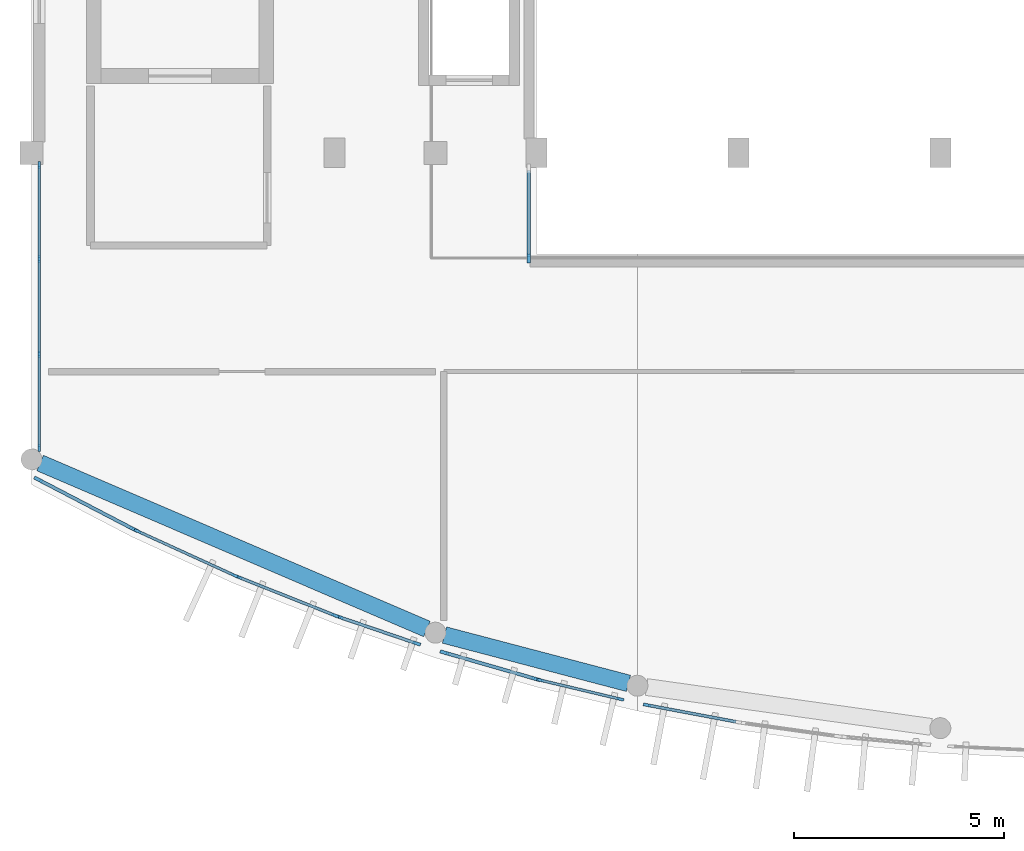
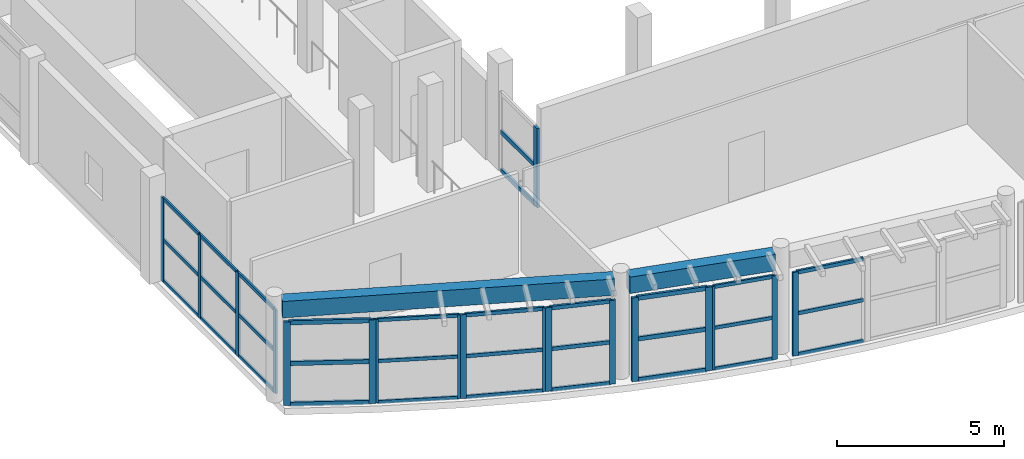
# One storey, part 3 of 32: 50 members, 2 beams, 9 elements without a shape of their own.
"""IFC4 building model written with IfcOpenShell, lengths in metres."""

from ifc_helpers import new_model, si_unit, direction, frame, origin, origin_2d, place, context, subcontext, project, spatial, rectangle, extrude, material, layer, layer_set, material_profile, profile_set, type_object, element, aggregate, save


model = new_model("IFC4")

# Units and contexts
model_context = context("Model", 3, precision=1e-05, world=origin(), true_north=direction((0.0, 1.0)))
body_context = subcontext(model_context, "Body", "Model", "MODEL_VIEW")
ifc_project = project(units=[si_unit("LENGTHUNIT", "METRE"), si_unit("AREAUNIT", "SQUARE_METRE"), si_unit("VOLUMEUNIT", "CUBIC_METRE"), si_unit("PLANEANGLEUNIT", "RADIAN"), si_unit("MASSUNIT", "GRAM", prefix="KILO")], contexts=[model_context])

# Site, building, storey
site_placement = place(None, origin())
site = spatial("IfcSite", under=ifc_project, at=site_placement, CompositionType="ELEMENT")
building_placement = place(site_placement, origin())
building = spatial("IfcBuilding", under=site, at=building_placement, Name="Brisavento Harbour Community Centre", CompositionType="ELEMENT")
storey_placement = place(building_placement, frame((0.0, 0.0, 12.89990234375)))
storey = spatial("IfcBuildingStorey", under=building, at=storey_placement, Name="L03", CompositionType="ELEMENT", Elevation=12.89990234375)

# Beams
ifc_material_1 = material(Name="Concrete C35/45", Category="concrete")
ifc_material_profile_1 = material_profile(ifc_material_1, rectangle(XDim=0.39990234375, YDim=0.60009765625, at=origin_2d()), Name="Concrete C35/45")
ifc_profile_set_1 = profile_set([ifc_material_profile_1], Name="Concrete C35/45")
beam_type = type_object("IfcBeamType", Name="BM-SPN-400x600", PredefinedType="SPANDREL", material=ifc_profile_set_1)
beam_1_placement = place(storey_placement, frame((0.2021484375, 7.027587890625, 3.360107421875), z_axis=(0.918969522078, -0.394328565401, 0.0), x_axis=(0.394328565401, 0.918969522078, 0.0)))
element("IfcBeam", 1, at=beam_1_placement, inside=storey, type_object=beam_type, Name="L03 curved perimeter spandrel 0675", PredefinedType="SPANDREL", context=body_context, shape_type="SweptSolid", body=[
    extrude(rectangle(XDim=0.39990234375, YDim=0.60009765625, at=origin_2d()), origin(), (0.0, 0.0, 1.0), 10.00634765625),
])
beam_2_placement = place(storey_placement, frame((9.812744140625, 2.939208984375, 3.360107421875), z_axis=(0.967170956244, -0.254126624735, 0.0), x_axis=(0.254126624735, 0.967170956244, 0.0)))
element("IfcBeam", 2, at=beam_2_placement, inside=storey, type_object=beam_type, Name="L03 curved perimeter spandrel 0676", PredefinedType="SPANDREL", context=body_context, shape_type="SweptSolid", body=[
    extrude(rectangle(XDim=0.39990234375, YDim=0.60009765625, at=origin_2d()), origin(), (0.0, 0.0, 1.0), 4.52294921875),
])

# Curtain wall, members
ifc_material_2 = material(Name="Marine-anodised aluminium AW-6063-T6", Category="aluminium")
ifc_layer_1 = layer(ifc_material_2, 0.179931640625, Name="Marine-anodised aluminium AW-6063-T6")
ifc_layer_set_1 = layer_set([ifc_layer_1], Name="Marine-anodised aluminium AW-6063-T6")
curtain_wall_type_1 = type_object("IfcCurtainWallType", Name="CW-SYS-13", PredefinedType="USERDEFINED", material=ifc_layer_set_1)
curtain_wall_1_placement = place(storey_placement, origin())
curtain_wall_1 = element("IfcCurtainWall", 3, at=curtain_wall_1_placement, inside=storey, type_object=curtain_wall_type_1, Name="L03 V1 unitised curtain wall 153", ObjectType="UNITISED CURTAIN WALL", PredefinedType="USERDEFINED")
ifc_material_profile_2 = material_profile(ifc_material_2, rectangle(XDim=0.06494140625, YDim=0.1650390625, at=origin_2d()), Name="Marine-anodised aluminium AW-6063-T6")
ifc_profile_set_2 = profile_set([ifc_material_profile_2], Name="Marine-anodised aluminium AW-6063-T6")
member_type_1 = type_object("IfcMemberType", Name="CWM-01", PredefinedType="MULLION", material=ifc_profile_set_2)
member_1_placement = place(storey_placement, frame((4.828857421875, 4.353515625, 0.0), z_axis=(0.0, 0.0, 1.0), x_axis=(-0.415490040189, -0.909597727846, 0.0)))
member_1 = element("IfcMember", 4, at=member_1_placement, type_object=member_type_1, Name="CW-13 mullion 1", PredefinedType="MULLION", context=body_context, shape_type="SweptSolid", body=[
    extrude(rectangle(XDim=0.06494140625, YDim=0.1650390625, at=origin_2d()), origin(), (0.0, 0.0, 1.0), 3.06005859375),
])
member_2_placement = place(storey_placement, frame((2.520751953125, 5.40771484375, 0.0), z_axis=(0.0, 0.0, 1.0), x_axis=(-0.415490040189, -0.909597727846, 0.0)))
member_2 = element("IfcMember", 5, at=member_2_placement, type_object=member_type_1, Name="CW-13 mullion 2", PredefinedType="MULLION", context=body_context, shape_type="SweptSolid", body=[
    extrude(rectangle(XDim=0.06494140625, YDim=0.1650390625, at=origin_2d()), origin(), (0.0, 0.0, 1.0), 3.06005859375),
])

ifc_layer_2 = layer(ifc_material_2, 0.179931640625, Name="Marine-anodised aluminium AW-6063-T6")
ifc_layer_set_2 = layer_set([ifc_layer_2], Name="Marine-anodised aluminium AW-6063-T6")
curtain_wall_type_2 = type_object("IfcCurtainWallType", Name="CW-SYS-17", PredefinedType="USERDEFINED", material=ifc_layer_set_2)
curtain_wall_2_placement = place(storey_placement, origin())
curtain_wall_2 = element("IfcCurtainWall", 6, at=curtain_wall_2_placement, inside=storey, type_object=curtain_wall_type_2, Name="L03 V1 unitised curtain wall 157", ObjectType="UNITISED CURTAIN WALL", PredefinedType="USERDEFINED")
member_3_placement = place(storey_placement, frame((13.9970703125, 1.41455078125, 0.0), z_axis=(0.0, 0.0, 1.0), x_axis=(-0.230812289714, -0.972998297489, 0.0)))
member_3 = element("IfcMember", 7, at=member_3_placement, type_object=member_type_1, Name="CW-17 mullion 1", PredefinedType="MULLION", context=body_context, shape_type="SweptSolid", body=[
    extrude(rectangle(XDim=0.06494140625, YDim=0.1650390625, at=origin_2d()), origin(), (0.0, 0.0, 1.0), 3.06005859375),
])
member_4_placement = place(storey_placement, frame((12.0908203125, 1.86669921875, 0.0), z_axis=(0.0, 0.0, 1.0), x_axis=(-0.230812289714, -0.972998297489, 0.0)))
member_4 = element("IfcMember", 8, at=member_4_placement, type_object=member_type_1, Name="CW-17 mullion 2", PredefinedType="MULLION", context=body_context, shape_type="SweptSolid", body=[
    extrude(rectangle(XDim=0.06494140625, YDim=0.1650390625, at=origin_2d()), origin(), (0.0, 0.0, 1.0), 3.06005859375),
])

ifc_layer_3 = layer(ifc_material_2, 0.179931640625, Name="Marine-anodised aluminium AW-6063-T6")
ifc_layer_set_3 = layer_set([ifc_layer_3], Name="Marine-anodised aluminium AW-6063-T6")
curtain_wall_type_3 = type_object("IfcCurtainWallType", Name="CW-SYS-09", PredefinedType="USERDEFINED", material=ifc_layer_set_3)
curtain_wall_3_placement = place(storey_placement, origin())
curtain_wall_3 = element("IfcCurtainWall", 9, at=curtain_wall_3_placement, inside=storey, type_object=curtain_wall_type_3, Name="L03 V1 unitised curtain wall 177", ObjectType="UNITISED CURTAIN WALL", PredefinedType="USERDEFINED")
member_5_placement = place(storey_placement, frame((0.179931640625, 7.381591796875, 0.0), z_axis=(0.0, 0.0, 1.0), x_axis=(-1.0, 0.0, 0.0)))
member_5 = element("IfcMember", 10, at=member_5_placement, type_object=member_type_1, Name="CW-09 mullion 1", PredefinedType="MULLION", context=body_context, shape_type="SweptSolid", body=[
    extrude(rectangle(XDim=0.06494140625, YDim=0.1650390625, at=origin_2d()), origin(), (0.0, 0.0, 1.0), 3.06005859375),
])
member_6_placement = place(storey_placement, frame((0.179931640625, 9.61279296875, 0.0), z_axis=(0.0, 0.0, 1.0), x_axis=(-1.0, 0.0, 0.0)))
member_6 = element("IfcMember", 11, at=member_6_placement, type_object=member_type_1, Name="CW-09 mullion 2", PredefinedType="MULLION", context=body_context, shape_type="SweptSolid", body=[
    extrude(rectangle(XDim=0.06494140625, YDim=0.1650390625, at=origin_2d()), origin(), (0.0, 0.0, 1.0), 3.06005859375),
])
member_7_placement = place(storey_placement, frame((0.179931640625, 11.87646484375, 0.0), z_axis=(0.0, 0.0, 1.0), x_axis=(-1.0, 0.0, 0.0)))
member_7 = element("IfcMember", 12, at=member_7_placement, type_object=member_type_1, Name="CW-09 mullion 3", PredefinedType="MULLION", context=body_context, shape_type="SweptSolid", body=[
    extrude(rectangle(XDim=0.06494140625, YDim=0.1650390625, at=origin_2d()), origin(), (0.0, 0.0, 1.0), 3.06005859375),
])
member_8_placement = place(storey_placement, frame((0.179931640625, 14.107421875, 0.0), z_axis=(0.0, 0.0, 1.0), x_axis=(-1.0, 0.0, 0.0)))
member_8 = element("IfcMember", 13, at=member_8_placement, type_object=member_type_1, Name="CW-09 mullion 4", PredefinedType="MULLION", context=body_context, shape_type="SweptSolid", body=[
    extrude(rectangle(XDim=0.06494140625, YDim=0.1650390625, at=origin_2d()), origin(), (0.0, 0.0, 1.0), 3.06005859375),
])

ifc_layer_4 = layer(ifc_material_2, 0.179931640625, Name="Marine-anodised aluminium AW-6063-T6")
ifc_layer_set_4 = layer_set([ifc_layer_4], Name="Marine-anodised aluminium AW-6063-T6")
curtain_wall_type_4 = type_object("IfcCurtainWallType", Name="CW-SYS-14", PredefinedType="USERDEFINED", material=ifc_layer_set_4)
curtain_wall_4_placement = place(storey_placement, origin())
curtain_wall_4 = element("IfcCurtainWall", 14, at=curtain_wall_4_placement, inside=storey, type_object=curtain_wall_type_4, Name="L03 V1 unitised curtain wall 154", ObjectType="UNITISED CURTAIN WALL", PredefinedType="USERDEFINED")
ifc_material_profile_3 = material_profile(ifc_material_2, rectangle(XDim=0.070068359375, YDim=0.179931640625, at=origin_2d()), Name="Marine-anodised aluminium AW-6063-T6")
ifc_profile_set_3 = profile_set([ifc_material_profile_3], Name="Marine-anodised aluminium AW-6063-T6")
member_type_2 = type_object("IfcMemberType", Name="CWM-02", PredefinedType="MULLION", material=ifc_profile_set_3)
member_9_placement = place(storey_placement, frame((7.21728515625, 3.401611328125, 0.0), z_axis=(0.0, 0.0, 1.0), x_axis=(-0.369379094613, -0.929278798027, 0.0)))
member_9 = element("IfcMember", 15, at=member_9_placement, type_object=member_type_2, Name="CW-14 mullion 1", PredefinedType="MULLION", context=body_context, shape_type="SweptSolid", body=[
    extrude(rectangle(XDim=0.070068359375, YDim=0.179931640625, at=origin_2d()), origin(), (0.0, 0.0, 1.0), 3.06005859375),
])
member_10_placement = place(storey_placement, frame((4.915771484375, 4.31640625, 0.0), z_axis=(0.0, 0.0, 1.0), x_axis=(-0.369379094613, -0.929278798027, 0.0)))
member_10 = element("IfcMember", 16, at=member_10_placement, type_object=member_type_2, Name="CW-14 mullion 2", PredefinedType="MULLION", context=body_context, shape_type="SweptSolid", body=[
    extrude(rectangle(XDim=0.070068359375, YDim=0.179931640625, at=origin_2d()), origin(), (0.0, 0.0, 1.0), 3.06005859375),
])

# Curtain wall, member
ifc_layer_5 = layer(ifc_material_2, 0.179931640625, Name="Marine-anodised aluminium AW-6063-T6")
ifc_layer_set_5 = layer_set([ifc_layer_5], Name="Marine-anodised aluminium AW-6063-T6")
curtain_wall_type_5 = type_object("IfcCurtainWallType", Name="CW-SYS-18", PredefinedType="USERDEFINED", material=ifc_layer_set_5)
curtain_wall_5_placement = place(storey_placement, origin())
curtain_wall_5 = element("IfcCurtainWall", 17, at=curtain_wall_5_placement, inside=storey, type_object=curtain_wall_type_5, Name="L03 V1 unitised curtain wall 158", ObjectType="UNITISED CURTAIN WALL", PredefinedType="USERDEFINED")
member_11_placement = place(storey_placement, frame((14.630859375, 1.273681640625, 0.0), z_axis=(0.0, 0.0, 1.0), x_axis=(-0.184689637418, -0.982796895513, 0.0)))
member_11 = element("IfcMember", 18, at=member_11_placement, type_object=member_type_2, Name="CW-18 mullion 2", PredefinedType="MULLION", context=body_context, shape_type="SweptSolid", body=[
    extrude(rectangle(XDim=0.070068359375, YDim=0.179931640625, at=origin_2d()), origin(), (0.0, 0.0, 1.0), 3.06005859375),
])

# Curtain wall, members
ifc_layer_6 = layer(ifc_material_2, 0.179931640625, Name="Marine-anodised aluminium AW-6063-T6")
ifc_layer_set_6 = layer_set([ifc_layer_6], Name="Marine-anodised aluminium AW-6063-T6")
curtain_wall_type_6 = type_object("IfcCurtainWallType", Name="CW-SYS-15", PredefinedType="USERDEFINED", material=ifc_layer_set_6)
curtain_wall_6_placement = place(storey_placement, origin())
curtain_wall_6 = element("IfcCurtainWall", 19, at=curtain_wall_6_placement, inside=storey, type_object=curtain_wall_type_6, Name="L03 V1 unitised curtain wall 155", ObjectType="UNITISED CURTAIN WALL", PredefinedType="USERDEFINED")
ifc_material_profile_4 = material_profile(ifc_material_2, rectangle(XDim=0.074951171875, YDim=0.18994140625, at=origin_2d()), Name="Marine-anodised aluminium AW-6063-T6")
ifc_profile_set_4 = profile_set([ifc_material_profile_4], Name="Marine-anodised aluminium AW-6063-T6")
member_type_3 = type_object("IfcMemberType", Name="CWM-03", PredefinedType="MULLION", material=ifc_profile_set_4)
member_12_placement = place(storey_placement, frame((9.153076171875, 2.738037109375, 0.0), z_axis=(0.0, 0.0, 1.0), x_axis=(-0.323178425743, -0.946338050136, 0.0)))
member_12 = element("IfcMember", 20, at=member_12_placement, type_object=member_type_3, Name="CW-15 mullion 1", PredefinedType="MULLION", context=body_context, shape_type="SweptSolid", body=[
    extrude(rectangle(XDim=0.074951171875, YDim=0.18994140625, at=origin_2d()), origin(), (0.0, 0.0, 1.0), 3.06005859375),
])
member_13_placement = place(storey_placement, frame((7.310791015625, 3.3671875, 0.0), z_axis=(0.0, 0.0, 1.0), x_axis=(-0.323178425743, -0.946338050136, 0.0)))
member_13 = element("IfcMember", 21, at=member_13_placement, type_object=member_type_3, Name="CW-15 mullion 2", PredefinedType="MULLION", context=body_context, shape_type="SweptSolid", body=[
    extrude(rectangle(XDim=0.074951171875, YDim=0.18994140625, at=origin_2d()), origin(), (0.0, 0.0, 1.0), 3.06005859375),
])

ifc_layer_7 = layer(ifc_material_2, 0.179931640625, Name="Marine-anodised aluminium AW-6063-T6")
ifc_layer_set_7 = layer_set([ifc_layer_7], Name="Marine-anodised aluminium AW-6063-T6")
curtain_wall_type_7 = type_object("IfcCurtainWallType", Name="CW-SYS-12", PredefinedType="USERDEFINED", material=ifc_layer_set_7)
curtain_wall_7_placement = place(storey_placement, origin())
curtain_wall_7 = element("IfcCurtainWall", 22, at=curtain_wall_7_placement, inside=storey, type_object=curtain_wall_type_7, Name="L03 V1 unitised curtain wall 152", ObjectType="UNITISED CURTAIN WALL", PredefinedType="USERDEFINED")
ifc_material_profile_5 = material_profile(ifc_material_2, rectangle(XDim=0.080078125, YDim=0.2099609375, at=origin_2d()), Name="Marine-anodised aluminium AW-6063-T6")
ifc_profile_set_5 = profile_set([ifc_material_profile_5], Name="Marine-anodised aluminium AW-6063-T6")
member_type_4 = type_object("IfcMemberType", Name="CWM-04", PredefinedType="MULLION", material=ifc_profile_set_5)
member_14_placement = place(storey_placement, frame((2.431640625, 5.451416015625, 0.0), z_axis=(0.0, 0.0, 1.0), x_axis=(-0.461731608705, -0.887019684969, 0.0)))
member_14 = element("IfcMember", 23, at=member_14_placement, type_object=member_type_4, Name="CW-12 mullion 1", PredefinedType="MULLION", context=body_context, shape_type="SweptSolid", body=[
    extrude(rectangle(XDim=0.080078125, YDim=0.2099609375, at=origin_2d()), origin(), (0.0, 0.0, 1.0), 3.06005859375),
])
member_15_placement = place(storey_placement, frame((0.15869140625, 6.634521484375, 0.0), z_axis=(0.0, 0.0, 1.0), x_axis=(-0.461731608705, -0.887019684969, 0.0)))
member_15 = element("IfcMember", 24, at=member_15_placement, type_object=member_type_4, Name="CW-12 mullion 2", PredefinedType="MULLION", context=body_context, shape_type="SweptSolid", body=[
    extrude(rectangle(XDim=0.080078125, YDim=0.2099609375, at=origin_2d()), origin(), (0.0, 0.0, 1.0), 3.06005859375),
])

ifc_layer_8 = layer(ifc_material_2, 0.179931640625, Name="Marine-anodised aluminium AW-6063-T6")
ifc_layer_set_8 = layer_set([ifc_layer_8], Name="Marine-anodised aluminium AW-6063-T6")
curtain_wall_type_8 = type_object("IfcCurtainWallType", Name="CW-SYS-16", PredefinedType="USERDEFINED", material=ifc_layer_set_8)
curtain_wall_8_placement = place(storey_placement, origin())
curtain_wall_8 = element("IfcCurtainWall", 25, at=curtain_wall_8_placement, inside=storey, type_object=curtain_wall_type_8, Name="L03 V1 unitised curtain wall 156", ObjectType="UNITISED CURTAIN WALL", PredefinedType="USERDEFINED")
member_16_placement = place(storey_placement, frame((11.994140625, 1.892333984375, 0.0), z_axis=(0.0, 0.0, 1.0), x_axis=(-0.277011917183, -0.960866482785, 0.0)))
member_16 = element("IfcMember", 26, at=member_16_placement, type_object=member_type_4, Name="CW-16 mullion 1", PredefinedType="MULLION", context=body_context, shape_type="SweptSolid", body=[
    extrude(rectangle(XDim=0.080078125, YDim=0.2099609375, at=origin_2d()), origin(), (0.0, 0.0, 1.0), 3.06005859375),
])
member_17_placement = place(storey_placement, frame((9.8115234375, 2.521484375, 0.0), z_axis=(0.0, 0.0, 1.0), x_axis=(-0.277011917183, -0.960866482785, 0.0)))
member_17 = element("IfcMember", 27, at=member_17_placement, type_object=member_type_4, Name="CW-16 mullion 2", PredefinedType="MULLION", context=body_context, shape_type="SweptSolid", body=[
    extrude(rectangle(XDim=0.080078125, YDim=0.2099609375, at=origin_2d()), origin(), (0.0, 0.0, 1.0), 3.06005859375),
])

# Curtain wall, member
ifc_layer_9 = layer(ifc_material_2, 0.179931640625, Name="Marine-anodised aluminium AW-6063-T6")
ifc_layer_set_9 = layer_set([ifc_layer_9], Name="Marine-anodised aluminium AW-6063-T6")
curtain_wall_type_9 = type_object("IfcCurtainWallType", Name="CW-SYS-08", PredefinedType="USERDEFINED", material=ifc_layer_set_9)
curtain_wall_9_placement = place(storey_placement, origin())
curtain_wall_9 = element("IfcCurtainWall", 28, at=curtain_wall_9_placement, inside=storey, type_object=curtain_wall_type_9, Name="L03 V1 unitised curtain wall 176", ObjectType="UNITISED CURTAIN WALL", PredefinedType="USERDEFINED")
member_18_placement = place(storey_placement, frame((11.820068359375, 11.889892578125, 0.0), z_axis=(0.0, 0.0, 1.0), x_axis=(1.0, 0.0, 0.0)))
member_18 = element("IfcMember", 29, at=member_18_placement, type_object=member_type_4, Name="CW-08 mullion 2", PredefinedType="MULLION", context=body_context, shape_type="SweptSolid", body=[
    extrude(rectangle(XDim=0.080078125, YDim=0.2099609375, at=origin_2d()), origin(), (0.0, 0.0, 1.0), 2.900146484375),
])

# Member
ifc_material_profile_6 = material_profile(ifc_material_2, rectangle(XDim=0.06494140625, YDim=0.125, at=origin_2d()), Name="Marine-anodised aluminium AW-6063-T6")
ifc_profile_set_6 = profile_set([ifc_material_profile_6], Name="Marine-anodised aluminium AW-6063-T6")
member_type_5 = type_object("IfcMemberType", Name="CWT-01", PredefinedType="USERDEFINED", material=ifc_profile_set_6)
member_19_placement = place(storey_placement, frame((4.79931640625, 4.366943359375, 0.03271484375), z_axis=(-0.909593912903, 0.415498391825, 0.0), x_axis=(-0.415498391825, -0.909593912903, 0.0)))
member_19 = element("IfcMember", 30, at=member_19_placement, type_object=member_type_5, Name="CW-13 transom 1.1", ObjectType="TRANSOM", PredefinedType="USERDEFINED", context=body_context, shape_type="SweptSolid", body=[
    extrude(rectangle(XDim=0.06494140625, YDim=0.125, at=origin_2d()), origin(), (0.0, 0.0, 1.0), 2.47265625),
])

member_20_placement = place(storey_placement, frame((4.79931640625, 4.366943359375, 1.530029296875), z_axis=(-0.909593912903, 0.415498391825, 0.0), x_axis=(-0.415498391825, -0.909593912903, 0.0)))
member_20 = element("IfcMember", 31, at=member_20_placement, type_object=member_type_5, Name="CW-13 transom 1.2", ObjectType="TRANSOM", PredefinedType="USERDEFINED", context=body_context, shape_type="SweptSolid", body=[
    extrude(rectangle(XDim=0.06494140625, YDim=0.125, at=origin_2d()), origin(), (0.0, 0.0, 1.0), 2.47265625),
])

member_21_placement = place(storey_placement, frame((4.79931640625, 4.366943359375, 3.027587890625), z_axis=(-0.909593912903, 0.415498391825, 0.0), x_axis=(-0.415498391825, -0.909593912903, 0.0)))
member_21 = element("IfcMember", 32, at=member_21_placement, type_object=member_type_5, Name="CW-13 transom 1.3", ObjectType="TRANSOM", PredefinedType="USERDEFINED", context=body_context, shape_type="SweptSolid", body=[
    extrude(rectangle(XDim=0.06494140625, YDim=0.125, at=origin_2d()), origin(), (0.0, 0.0, 1.0), 2.47265625),
])

aggregate(curtain_wall_1, [member_1, member_2, member_19, member_20, member_21])

member_22_placement = place(storey_placement, frame((13.96533203125, 1.422119140625, 0.03271484375), z_axis=(-0.973020160263, 0.230720106885, 0.0), x_axis=(-0.230720106885, -0.973020160263, 0.0)))
member_22 = element("IfcMember", 33, at=member_22_placement, type_object=member_type_5, Name="CW-17 transom 1.1", ObjectType="TRANSOM", PredefinedType="USERDEFINED", context=body_context, shape_type="SweptSolid", body=[
    extrude(rectangle(XDim=0.06494140625, YDim=0.125, at=origin_2d()), origin(), (0.0, 0.0, 1.0), 1.89404296875),
])

member_23_placement = place(storey_placement, frame((13.96533203125, 1.422119140625, 1.530029296875), z_axis=(-0.973020160263, 0.230720106885, 0.0), x_axis=(-0.230720106885, -0.973020160263, 0.0)))
member_23 = element("IfcMember", 34, at=member_23_placement, type_object=member_type_5, Name="CW-17 transom 1.2", ObjectType="TRANSOM", PredefinedType="USERDEFINED", context=body_context, shape_type="SweptSolid", body=[
    extrude(rectangle(XDim=0.06494140625, YDim=0.125, at=origin_2d()), origin(), (0.0, 0.0, 1.0), 1.89404296875),
])

member_24_placement = place(storey_placement, frame((13.96533203125, 1.422119140625, 3.027587890625), z_axis=(-0.973020160263, 0.230720106885, 0.0), x_axis=(-0.230720106885, -0.973020160263, 0.0)))
member_24 = element("IfcMember", 35, at=member_24_placement, type_object=member_type_5, Name="CW-17 transom 1.3", ObjectType="TRANSOM", PredefinedType="USERDEFINED", context=body_context, shape_type="SweptSolid", body=[
    extrude(rectangle(XDim=0.06494140625, YDim=0.125, at=origin_2d()), origin(), (0.0, 0.0, 1.0), 1.89404296875),
])

aggregate(curtain_wall_2, [member_3, member_4, member_22, member_23, member_24])

member_25_placement = place(storey_placement, frame((0.179931640625, 7.414306640625, 0.03271484375), z_axis=(0.0, 1.0, 0.0), x_axis=(-1.0, 0.0, 0.0)))
member_25 = element("IfcMember", 36, at=member_25_placement, type_object=member_type_5, Name="CW-09 transom 1.1", ObjectType="TRANSOM", PredefinedType="USERDEFINED", context=body_context, shape_type="SweptSolid", body=[
    extrude(rectangle(XDim=0.06494140625, YDim=0.125, at=origin_2d()), origin(), (0.0, 0.0, 1.0), 2.166015625),
])

member_26_placement = place(storey_placement, frame((0.179931640625, 7.414306640625, 1.530029296875), z_axis=(0.0, 1.0, 0.0), x_axis=(-1.0, 0.0, 0.0)))
member_26 = element("IfcMember", 37, at=member_26_placement, type_object=member_type_5, Name="CW-09 transom 1.2", ObjectType="TRANSOM", PredefinedType="USERDEFINED", context=body_context, shape_type="SweptSolid", body=[
    extrude(rectangle(XDim=0.06494140625, YDim=0.125, at=origin_2d()), origin(), (0.0, 0.0, 1.0), 2.166015625),
])

member_27_placement = place(storey_placement, frame((0.179931640625, 7.414306640625, 3.027587890625), z_axis=(0.0, 1.0, 0.0), x_axis=(-1.0, 0.0, 0.0)))
member_27 = element("IfcMember", 38, at=member_27_placement, type_object=member_type_5, Name="CW-09 transom 1.3", ObjectType="TRANSOM", PredefinedType="USERDEFINED", context=body_context, shape_type="SweptSolid", body=[
    extrude(rectangle(XDim=0.06494140625, YDim=0.125, at=origin_2d()), origin(), (0.0, 0.0, 1.0), 2.166015625),
])

member_28_placement = place(storey_placement, frame((0.179931640625, 9.645263671875, 0.03271484375), z_axis=(0.0, 1.0, 0.0), x_axis=(-1.0, 0.0, 0.0)))
member_28 = element("IfcMember", 39, at=member_28_placement, type_object=member_type_5, Name="CW-09 transom 2.1", ObjectType="TRANSOM", PredefinedType="USERDEFINED", context=body_context, shape_type="SweptSolid", body=[
    extrude(rectangle(XDim=0.06494140625, YDim=0.125, at=origin_2d()), origin(), (0.0, 0.0, 1.0), 2.19873046875),
])

member_29_placement = place(storey_placement, frame((0.179931640625, 9.645263671875, 1.530029296875), z_axis=(0.0, 1.0, 0.0), x_axis=(-1.0, 0.0, 0.0)))
member_29 = element("IfcMember", 40, at=member_29_placement, type_object=member_type_5, Name="CW-09 transom 2.2", ObjectType="TRANSOM", PredefinedType="USERDEFINED", context=body_context, shape_type="SweptSolid", body=[
    extrude(rectangle(XDim=0.06494140625, YDim=0.125, at=origin_2d()), origin(), (0.0, 0.0, 1.0), 2.19873046875),
])

member_30_placement = place(storey_placement, frame((0.179931640625, 9.645263671875, 3.027587890625), z_axis=(0.0, 1.0, 0.0), x_axis=(-1.0, 0.0, 0.0)))
member_30 = element("IfcMember", 41, at=member_30_placement, type_object=member_type_5, Name="CW-09 transom 2.3", ObjectType="TRANSOM", PredefinedType="USERDEFINED", context=body_context, shape_type="SweptSolid", body=[
    extrude(rectangle(XDim=0.06494140625, YDim=0.125, at=origin_2d()), origin(), (0.0, 0.0, 1.0), 2.19873046875),
])

member_31_placement = place(storey_placement, frame((0.179931640625, 11.908935546875, 0.03271484375), z_axis=(0.0, 1.0, 0.0), x_axis=(-1.0, 0.0, 0.0)))
member_31 = element("IfcMember", 42, at=member_31_placement, type_object=member_type_5, Name="CW-09 transom 3.1", ObjectType="TRANSOM", PredefinedType="USERDEFINED", context=body_context, shape_type="SweptSolid", body=[
    extrude(rectangle(XDim=0.06494140625, YDim=0.125, at=origin_2d()), origin(), (0.0, 0.0, 1.0), 2.166015625),
])

member_32_placement = place(storey_placement, frame((0.179931640625, 11.908935546875, 1.530029296875), z_axis=(0.0, 1.0, 0.0), x_axis=(-1.0, 0.0, 0.0)))
member_32 = element("IfcMember", 43, at=member_32_placement, type_object=member_type_5, Name="CW-09 transom 3.2", ObjectType="TRANSOM", PredefinedType="USERDEFINED", context=body_context, shape_type="SweptSolid", body=[
    extrude(rectangle(XDim=0.06494140625, YDim=0.125, at=origin_2d()), origin(), (0.0, 0.0, 1.0), 2.166015625),
])

member_33_placement = place(storey_placement, frame((0.179931640625, 11.908935546875, 3.027587890625), z_axis=(0.0, 1.0, 0.0), x_axis=(-1.0, 0.0, 0.0)))
member_33 = element("IfcMember", 44, at=member_33_placement, type_object=member_type_5, Name="CW-09 transom 3.3", ObjectType="TRANSOM", PredefinedType="USERDEFINED", context=body_context, shape_type="SweptSolid", body=[
    extrude(rectangle(XDim=0.06494140625, YDim=0.125, at=origin_2d()), origin(), (0.0, 0.0, 1.0), 2.166015625),
])

aggregate(curtain_wall_3, [member_5, member_6, member_7, member_8, member_25, member_26, member_27, member_28, member_29, member_30, member_31, member_32, member_33])

ifc_material_profile_7 = material_profile(ifc_material_2, rectangle(XDim=0.070068359375, YDim=0.132080078125, at=origin_2d()), Name="Marine-anodised aluminium AW-6063-T6")
ifc_profile_set_7 = profile_set([ifc_material_profile_7], Name="Marine-anodised aluminium AW-6063-T6")
member_type_6 = type_object("IfcMemberType", Name="CWT-02", PredefinedType="USERDEFINED", material=ifc_profile_set_7)
member_34_placement = place(storey_placement, frame((7.184814453125, 3.41455078125, 0.03515625), z_axis=(-0.929292952789, 0.369343482273, 0.0), x_axis=(-0.369343482273, -0.929292952789, 0.0)))
member_34 = element("IfcMember", 45, at=member_34_placement, type_object=member_type_6, Name="CW-14 transom 1.1", ObjectType="TRANSOM", PredefinedType="USERDEFINED", context=body_context, shape_type="SweptSolid", body=[
    extrude(rectangle(XDim=0.070068359375, YDim=0.132080078125, at=origin_2d()), origin(), (0.0, 0.0, 1.0), 2.40673828125),
])

member_35_placement = place(storey_placement, frame((7.184814453125, 3.41455078125, 1.530029296875), z_axis=(-0.929292952789, 0.369343482273, 0.0), x_axis=(-0.369343482273, -0.929292952789, 0.0)))
member_35 = element("IfcMember", 46, at=member_35_placement, type_object=member_type_6, Name="CW-14 transom 1.2", ObjectType="TRANSOM", PredefinedType="USERDEFINED", context=body_context, shape_type="SweptSolid", body=[
    extrude(rectangle(XDim=0.070068359375, YDim=0.132080078125, at=origin_2d()), origin(), (0.0, 0.0, 1.0), 2.40673828125),
])

member_36_placement = place(storey_placement, frame((7.184814453125, 3.41455078125, 3.025146484375), z_axis=(-0.929292952789, 0.369343482273, 0.0), x_axis=(-0.369343482273, -0.929292952789, 0.0)))
member_36 = element("IfcMember", 47, at=member_36_placement, type_object=member_type_6, Name="CW-14 transom 1.3", ObjectType="TRANSOM", PredefinedType="USERDEFINED", context=body_context, shape_type="SweptSolid", body=[
    extrude(rectangle(XDim=0.070068359375, YDim=0.132080078125, at=origin_2d()), origin(), (0.0, 0.0, 1.0), 2.40673828125),
])

aggregate(curtain_wall_4, [member_9, member_10, member_34, member_35, member_36])

member_37_placement = place(storey_placement, frame((16.746826171875, 0.876220703125, 0.03515625), z_axis=(-0.982801647447, 0.184664348957, 0.0), x_axis=(-0.184664348957, -0.982801647447, 0.0)))
member_37 = element("IfcMember", 48, at=member_37_placement, type_object=member_type_6, Name="CW-18 transom 1.1", ObjectType="TRANSOM", PredefinedType="USERDEFINED", context=body_context, shape_type="SweptSolid", body=[
    extrude(rectangle(XDim=0.070068359375, YDim=0.132080078125, at=origin_2d()), origin(), (0.0, 0.0, 1.0), 2.117919921875),
])

member_38_placement = place(storey_placement, frame((16.746826171875, 0.876220703125, 1.530029296875), z_axis=(-0.982801647447, 0.184664348957, 0.0), x_axis=(-0.184664348957, -0.982801647447, 0.0)))
member_38 = element("IfcMember", 49, at=member_38_placement, type_object=member_type_6, Name="CW-18 transom 1.2", ObjectType="TRANSOM", PredefinedType="USERDEFINED", context=body_context, shape_type="SweptSolid", body=[
    extrude(rectangle(XDim=0.070068359375, YDim=0.132080078125, at=origin_2d()), origin(), (0.0, 0.0, 1.0), 2.117919921875),
])

member_39_placement = place(storey_placement, frame((16.746826171875, 0.876220703125, 3.025146484375), z_axis=(-0.982801647447, 0.184664348957, 0.0), x_axis=(-0.184664348957, -0.982801647447, 0.0)))
member_39 = element("IfcMember", 50, at=member_39_placement, type_object=member_type_6, Name="CW-18 transom 1.3", ObjectType="TRANSOM", PredefinedType="USERDEFINED", context=body_context, shape_type="SweptSolid", body=[
    extrude(rectangle(XDim=0.070068359375, YDim=0.132080078125, at=origin_2d()), origin(), (0.0, 0.0, 1.0), 2.117919921875),
])

aggregate(curtain_wall_5, [member_11, member_37, member_38, member_39])

ifc_material_profile_8 = material_profile(ifc_material_2, rectangle(XDim=0.074951171875, YDim=0.139892578125, at=origin_2d()), Name="Marine-anodised aluminium AW-6063-T6")
ifc_profile_set_8 = profile_set([ifc_material_profile_8], Name="Marine-anodised aluminium AW-6063-T6")
member_type_7 = type_object("IfcMemberType", Name="CWT-03", PredefinedType="USERDEFINED", material=ifc_profile_set_8)
member_40_placement = place(storey_placement, frame((9.117431640625, 2.750244140625, 0.03759765625), z_axis=(-0.946362503499, 0.323106812015, 0.0), x_axis=(-0.323106812015, -0.946362503499, 0.0)))
member_40 = element("IfcMember", 51, at=member_40_placement, type_object=member_type_7, Name="CW-15 transom 1.1", ObjectType="TRANSOM", PredefinedType="USERDEFINED", context=body_context, shape_type="SweptSolid", body=[
    extrude(rectangle(XDim=0.074951171875, YDim=0.139892578125, at=origin_2d()), origin(), (0.0, 0.0, 1.0), 1.87158203125),
])

member_41_placement = place(storey_placement, frame((9.117431640625, 2.750244140625, 1.530029296875), z_axis=(-0.946362503499, 0.323106812015, 0.0), x_axis=(-0.323106812015, -0.946362503499, 0.0)))
member_41 = element("IfcMember", 52, at=member_41_placement, type_object=member_type_7, Name="CW-15 transom 1.2", ObjectType="TRANSOM", PredefinedType="USERDEFINED", context=body_context, shape_type="SweptSolid", body=[
    extrude(rectangle(XDim=0.074951171875, YDim=0.139892578125, at=origin_2d()), origin(), (0.0, 0.0, 1.0), 1.87158203125),
])

member_42_placement = place(storey_placement, frame((9.117431640625, 2.750244140625, 3.022705078125), z_axis=(-0.946362503499, 0.323106812015, 0.0), x_axis=(-0.323106812015, -0.946362503499, 0.0)))
member_42 = element("IfcMember", 53, at=member_42_placement, type_object=member_type_7, Name="CW-15 transom 1.3", ObjectType="TRANSOM", PredefinedType="USERDEFINED", context=body_context, shape_type="SweptSolid", body=[
    extrude(rectangle(XDim=0.074951171875, YDim=0.139892578125, at=origin_2d()), origin(), (0.0, 0.0, 1.0), 1.87158203125),
])

aggregate(curtain_wall_6, [member_12, member_13, member_40, member_41, member_42])

ifc_material_profile_9 = material_profile(ifc_material_2, rectangle(XDim=0.080078125, YDim=0.155029296875, at=origin_2d()), Name="Marine-anodised aluminium AW-6063-T6")
ifc_profile_set_9 = profile_set([ifc_material_profile_9], Name="Marine-anodised aluminium AW-6063-T6")
member_type_8 = type_object("IfcMemberType", Name="CWT-04", PredefinedType="USERDEFINED", material=ifc_profile_set_9)
member_43_placement = place(storey_placement, frame((2.396240234375, 5.469970703125, 0.0400390625), z_axis=(-0.887031567196, 0.461708781373, 0.0), x_axis=(-0.461708781373, -0.887031567196, 0.0)))
member_43 = element("IfcMember", 54, at=member_43_placement, type_object=member_type_8, Name="CW-12 transom 1.1", ObjectType="TRANSOM", PredefinedType="USERDEFINED", context=body_context, shape_type="SweptSolid", body=[
    extrude(rectangle(XDim=0.080078125, YDim=0.155029296875, at=origin_2d()), origin(), (0.0, 0.0, 1.0), 2.482666015625),
])

member_44_placement = place(storey_placement, frame((2.396240234375, 5.469970703125, 1.530029296875), z_axis=(-0.887031567196, 0.461708781373, 0.0), x_axis=(-0.461708781373, -0.887031567196, 0.0)))
member_44 = element("IfcMember", 55, at=member_44_placement, type_object=member_type_8, Name="CW-12 transom 1.2", ObjectType="TRANSOM", PredefinedType="USERDEFINED", context=body_context, shape_type="SweptSolid", body=[
    extrude(rectangle(XDim=0.080078125, YDim=0.155029296875, at=origin_2d()), origin(), (0.0, 0.0, 1.0), 2.482666015625),
])

member_45_placement = place(storey_placement, frame((2.396240234375, 5.469970703125, 3.02001953125), z_axis=(-0.887031567196, 0.461708781373, 0.0), x_axis=(-0.461708781373, -0.887031567196, 0.0)))
member_45 = element("IfcMember", 56, at=member_45_placement, type_object=member_type_8, Name="CW-12 transom 1.3", ObjectType="TRANSOM", PredefinedType="USERDEFINED", context=body_context, shape_type="SweptSolid", body=[
    extrude(rectangle(XDim=0.080078125, YDim=0.155029296875, at=origin_2d()), origin(), (0.0, 0.0, 1.0), 2.482666015625),
])

aggregate(curtain_wall_7, [member_14, member_15, member_43, member_44, member_45])

member_46_placement = place(storey_placement, frame((11.955810546875, 1.9033203125, 0.0400390625), z_axis=(-0.960861232494, 0.277030128126, 0.0), x_axis=(-0.277030128126, -0.960861232494, 0.0)))
member_46 = element("IfcMember", 57, at=member_46_placement, type_object=member_type_8, Name="CW-16 transom 1.1", ObjectType="TRANSOM", PredefinedType="USERDEFINED", context=body_context, shape_type="SweptSolid", body=[
    extrude(rectangle(XDim=0.080078125, YDim=0.155029296875, at=origin_2d()), origin(), (0.0, 0.0, 1.0), 2.191650390625),
])

member_47_placement = place(storey_placement, frame((11.955810546875, 1.9033203125, 1.530029296875), z_axis=(-0.960861232494, 0.277030128126, 0.0), x_axis=(-0.277030128126, -0.960861232494, 0.0)))
member_47 = element("IfcMember", 58, at=member_47_placement, type_object=member_type_8, Name="CW-16 transom 1.2", ObjectType="TRANSOM", PredefinedType="USERDEFINED", context=body_context, shape_type="SweptSolid", body=[
    extrude(rectangle(XDim=0.080078125, YDim=0.155029296875, at=origin_2d()), origin(), (0.0, 0.0, 1.0), 2.191650390625),
])

member_48_placement = place(storey_placement, frame((11.955810546875, 1.9033203125, 3.02001953125), z_axis=(-0.960861232494, 0.277030128126, 0.0), x_axis=(-0.277030128126, -0.960861232494, 0.0)))
member_48 = element("IfcMember", 59, at=member_48_placement, type_object=member_type_8, Name="CW-16 transom 1.3", ObjectType="TRANSOM", PredefinedType="USERDEFINED", context=body_context, shape_type="SweptSolid", body=[
    extrude(rectangle(XDim=0.080078125, YDim=0.155029296875, at=origin_2d()), origin(), (0.0, 0.0, 1.0), 2.191650390625),
])

aggregate(curtain_wall_8, [member_16, member_17, member_46, member_47, member_48])

member_49_placement = place(storey_placement, frame((11.820068359375, 13.985107421875, 0.0400390625), z_axis=(0.0, -1.0, 0.0), x_axis=(1.0, 0.0, 0.0)))
member_49 = element("IfcMember", 60, at=member_49_placement, type_object=member_type_8, Name="CW-08 transom 1.1", ObjectType="TRANSOM", PredefinedType="USERDEFINED", context=body_context, shape_type="SweptSolid", body=[
    extrude(rectangle(XDim=0.080078125, YDim=0.155029296875, at=origin_2d()), origin(), (0.0, 0.0, 1.0), 2.05517578125),
])

member_50_placement = place(storey_placement, frame((11.820068359375, 13.985107421875, 1.4501953125), z_axis=(0.0, -1.0, 0.0), x_axis=(1.0, 0.0, 0.0)))
member_50 = element("IfcMember", 61, at=member_50_placement, type_object=member_type_8, Name="CW-08 transom 1.2", ObjectType="TRANSOM", PredefinedType="USERDEFINED", context=body_context, shape_type="SweptSolid", body=[
    extrude(rectangle(XDim=0.080078125, YDim=0.155029296875, at=origin_2d()), origin(), (0.0, 0.0, 1.0), 2.05517578125),
])

aggregate(curtain_wall_9, [member_18, member_49, member_50])

save(model, "model.ifc")
